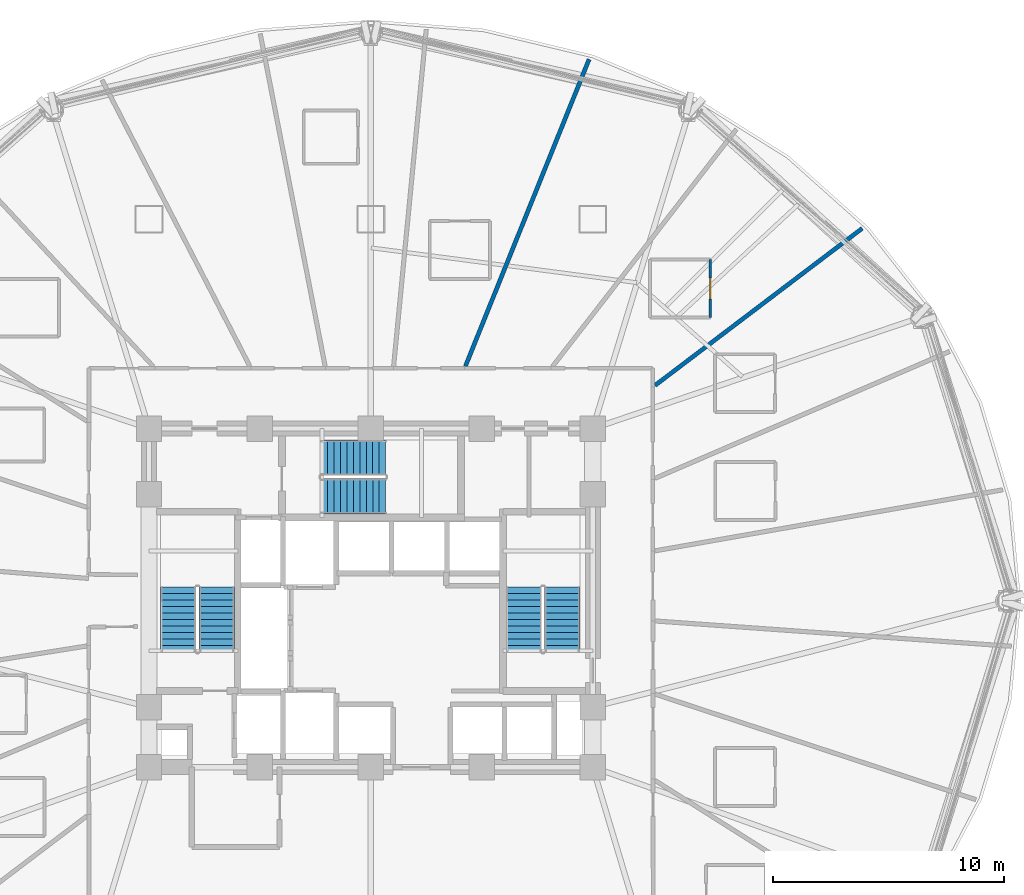
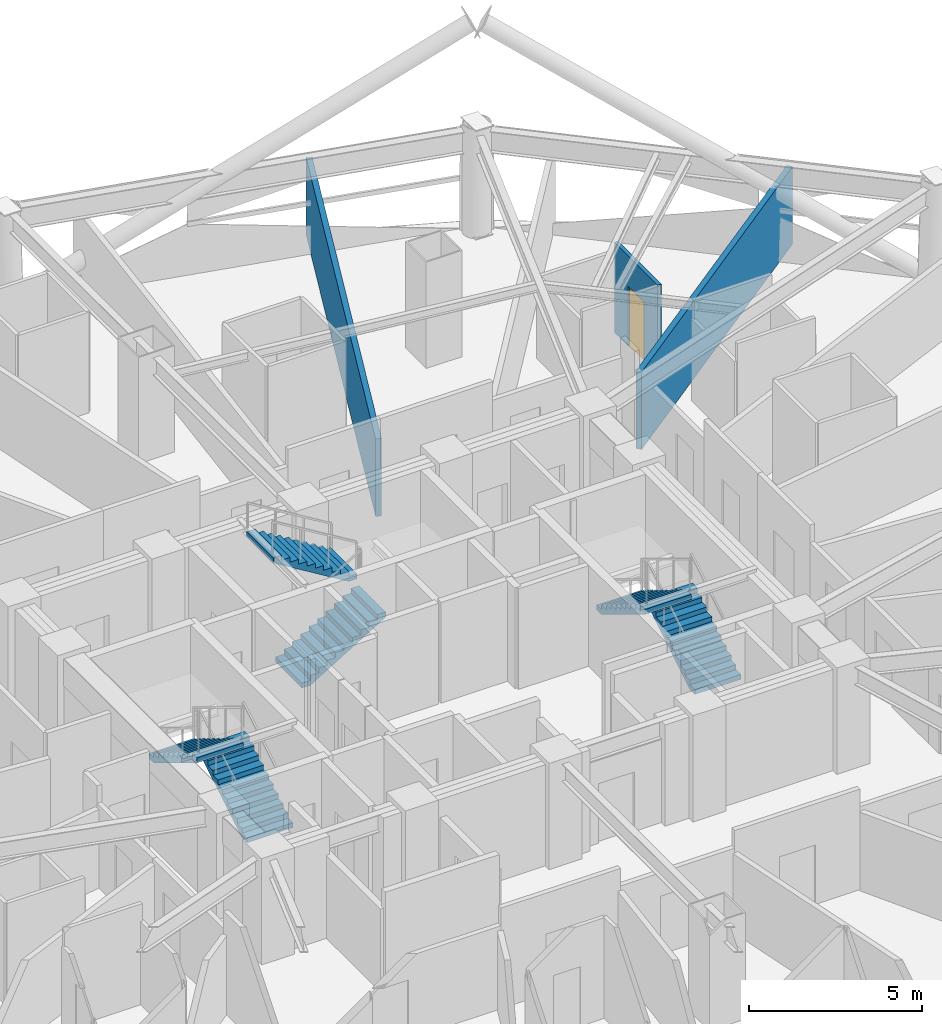
# One storey, part 11 of 16: 6 stair flights, 3 walls, 1 door, 1 opening, 3 elements without a shape of their own.
"""IFC4 building model written with IfcOpenShell, lengths in metres."""

from ifc_helpers import new_model, si_unit, direction, frame, frame_2d, origin, place, context, subcontext, project, spatial, polyline, rectangle, outline, extrude, material, layer, layer_set, type_object, element, fill, aggregate, save


model = new_model("IFC4")

# Units and contexts
model_context = context("Model", 3, precision=1e-05, world=origin(), true_north=direction((0.0, 1.0)))
body_context = subcontext(model_context, "Body", "Model", "MODEL_VIEW")
ifc_project = project(units=[si_unit("LENGTHUNIT", "METRE"), si_unit("AREAUNIT", "SQUARE_METRE"), si_unit("VOLUMEUNIT", "CUBIC_METRE"), si_unit("PLANEANGLEUNIT", "RADIAN"), si_unit("MASSUNIT", "GRAM", prefix="KILO")], contexts=[model_context])

# Site, building, storey
site_placement = place(None, origin())
site = spatial("IfcSite", under=ifc_project, at=site_placement, CompositionType="ELEMENT")
building_placement = place(site_placement, origin())
building = spatial("IfcBuilding", under=site, at=building_placement, Name="Vantalir Tower", CompositionType="ELEMENT")
storey_placement = place(building_placement, frame((0.0, 0.0, 64.5)))
storey = spatial("IfcBuildingStorey", under=building, at=storey_placement, Name="L15", CompositionType="ELEMENT", Elevation=64.5)

# Wall, opening, door
ifc_material_1 = material(Name="Moisture-resistant en-suite partition", Category="gypsum")
ifc_layer_1 = layer(ifc_material_1, 0.125)
ifc_layer_set_1 = layer_set([ifc_layer_1], Name="Moisture-resistant en-suite partition")
wall_type_1 = type_object("IfcWallType", Name="WL-BATH-125", PredefinedType="PARTITIONING", material=ifc_layer_set_1)
wall_1_placement = place(storey_placement, frame((46.18310546875, 37.259033203125, 0.0), z_axis=(0.0, 0.0, 1.0), x_axis=(0.0, 1.0, 0.0)))
wall_1 = element("IfcWall", 1, at=wall_1_placement, inside=storey, type_object=wall_type_1, Name="L15 En-suite 03 East Wall", PredefinedType="PARTITIONING", context=body_context, shape_type="SweptSolid", body=[
    extrude(rectangle(XDim=2.5, YDim=0.125, at=frame_2d((1.25, 0.0))), origin(), (0.0, 0.0, 1.0), 3.177978515625),
])
opening_placement = place(wall_1_placement, frame((0.800048828125, 0.0, 0.0)))
opening = element("IfcOpeningElement", 2, at=opening_placement, cuts=wall_1, Name="Opening D-WC", PredefinedType="OPENING", context=body_context, shape_type="SweptSolid", body=[
    extrude(rectangle(XDim=0.89990234375, YDim=2.10009765625, at=frame_2d((0.449951171875, 1.050048828125))), frame((0.0, 0.072509765625, 0.0), z_axis=(0.0, -1.0, 0.0), x_axis=(1.0, 0.0, 0.0)), (0.0, 0.0, 1.0), 0.14501953125),
])
ifc_material_2 = material(Name="Moisture-resistant hardwood door", Category="wood")
door_type = type_object("IfcDoorType", Name="DR-ENSUITE-900", OperationType="NOTDEFINED", PredefinedType="DOOR", material=ifc_material_2)
door_placement = place(opening_placement, origin())
door = element("IfcDoor", 3, at=door_placement, inside=storey, type_object=door_type, Name="L15 En-suite 03 Door", OperationType="SINGLE_SWING_LEFT", OverallHeight=2.10009765625, OverallWidth=0.89990234375, PredefinedType="DOOR", context=body_context, shape_type="SweptSolid", body=[
    extrude(rectangle(XDim=0.89990234375, YDim=2.10009765625, at=frame_2d((0.449951171875, 1.050048828125))), frame((0.0, 0.02490234375, 0.0), z_axis=(0.0, -1.0, 0.0), x_axis=(1.0, 0.0, 0.0)), (0.0, 0.0, 1.0), 0.050048828125),
])
fill(opening, door)

# Walls
ifc_material_3 = material(Name="Twin-stud acoustic fire-rated gypsum partition", Category="gypsum")
ifc_layer_2 = layer(ifc_material_3, 0.179931640625)
ifc_layer_set_2 = layer_set([ifc_layer_2], Name="Twin-stud acoustic fire-rated gypsum partition")
wall_type_2 = type_object("IfcWallType", Name="WL-GUEST-180", PredefinedType="PARTITIONING", material=ifc_layer_set_2)
wall_2_placement = place(storey_placement, frame((43.7900390625, 34.31494140625, 0.0), z_axis=(0.0, 0.0, 1.0), x_axis=(0.796937326032, 0.604061998786, 0.0)))
element("IfcWall", 4, at=wall_2_placement, inside=storey, type_object=wall_type_2, Name="L15 Radial Suite Partition 03", PredefinedType="PARTITIONING", context=body_context, shape_type="SweptSolid", body=[
    extrude(rectangle(XDim=11.2490234375, YDim=0.179931640625, at=frame_2d((5.62451171875, 0.0))), origin(), (0.0, 0.0, 1.0), 2.735107421875),
])
wall_3_placement = place(storey_placement, frame((35.5859375, 35.139892578125, 0.0), z_axis=(0.0, 0.0, 1.0), x_axis=(0.373781962033, 0.927516600853, 0.0)))
element("IfcWall", 5, at=wall_3_placement, inside=storey, type_object=wall_type_2, Name="L15 Radial Suite Partition 05", PredefinedType="PARTITIONING", context=body_context, shape_type="SweptSolid", body=[
    extrude(rectangle(XDim=14.3212890625, YDim=0.179931640625, at=frame_2d((7.16064453125, 0.0))), origin(), (0.0, 0.0, 1.0), 2.735107421875),
])

# Stair, stair flights
ifc_material_4 = material(Name="Concrete C40/50", Category="concrete")
stair_type = type_object("IfcStairType", Name="STR-CORE-1450", PredefinedType="HALF_TURN_STAIR", material=ifc_material_4)
stair_1_placement = place(storey_placement, origin())
stair_1 = element("IfcStair", 6, at=stair_1_placement, inside=storey, type_object=stair_type, Name="L15 Core Exit Stair 1", PredefinedType="HALF_TURN_STAIR")
stair_flight_type = type_object("IfcStairFlightType", Name="FLT-CORE-1450", PredefinedType="STRAIGHT", material=ifc_material_4)
stair_flight_1_placement = place(storey_placement, frame((24.830078125, 22.7900390625, 0.0), z_axis=(0.0, 0.0, 1.0), x_axis=(0.0, 1.0, 0.0)))
stair_flight_1 = element("IfcStairFlight", 7, at=stair_flight_1_placement, type_object=stair_flight_type, Name="ST1 flight 1", NumberOfRisers=11, NumberOfTreads=10, PredefinedType="STRAIGHT", RiserHeight=0.170454545, TreadLength=0.28, context=body_context, shape_type="SweptSolid", body=[
    extrude(outline(polyline([(0.0, 0.0), (0.0, 0.17041015625), (0.280029296875, 0.17041015625), (0.280029296875, 0.3408203125), (0.56005859375, 0.3408203125), (0.56005859375, 0.511474609375), (0.840087890625, 0.511474609375), (0.840087890625, 0.681884765625), (1.1201171875, 0.681884765625), (1.1201171875, 0.852294921875), (1.39990234375, 0.852294921875), (1.39990234375, 1.022705078125), (1.679931640625, 1.022705078125), (1.679931640625, 1.193115234375), (1.9599609375, 1.193115234375), (1.9599609375, 1.363525390625), (2.239990234375, 1.363525390625), (2.239990234375, 1.5341796875), (2.52001953125, 1.5341796875), (2.52001953125, 1.70458984375), (2.800048828125, 1.70458984375), (2.800048828125, 1.875), (2.800048828125, 1.529052734375), (0.288330078125, 0.0), (0.0, 0.0)])), frame((0.0, 0.77001953125, 0.0), z_axis=(0.0, -1.0, 0.0), x_axis=(1.0, 0.0, 0.0)), (0.0, 0.0, 1.0), 1.5400390625),
])
stair_flight_2_placement = place(storey_placement, frame((23.169921875, 25.590087890625, 1.875), z_axis=(0.0, 0.0, 1.0), x_axis=(0.0, -1.0, 0.0)))
stair_flight_2 = element("IfcStairFlight", 8, at=stair_flight_2_placement, type_object=stair_flight_type, Name="ST1 flight 2", NumberOfRisers=11, NumberOfTreads=10, PredefinedType="STRAIGHT", RiserHeight=0.170454545, TreadLength=0.28, context=body_context, shape_type="SweptSolid", body=[
    extrude(outline(polyline([(0.0, 0.0), (0.0, 0.17041015625), (0.280029296875, 0.17041015625), (0.280029296875, 0.3408203125), (0.56005859375, 0.3408203125), (0.56005859375, 0.511474609375), (0.840087890625, 0.511474609375), (0.840087890625, 0.681884765625), (1.1201171875, 0.681884765625), (1.1201171875, 0.852294921875), (1.39990234375, 0.852294921875), (1.39990234375, 1.022705078125), (1.679931640625, 1.022705078125), (1.679931640625, 1.193115234375), (1.9599609375, 1.193115234375), (1.9599609375, 1.363525390625), (2.239990234375, 1.363525390625), (2.239990234375, 1.5341796875), (2.52001953125, 1.5341796875), (2.52001953125, 1.70458984375), (2.800048828125, 1.70458984375), (2.800048828125, 1.875), (2.800048828125, 1.529052734375), (0.288330078125, 0.0), (0.0, 0.0)])), frame((0.0, 0.77001953125, 0.0), z_axis=(0.0, -1.0, 0.0), x_axis=(1.0, 0.0, 0.0)), (0.0, 0.0, 1.0), 1.5400390625),
])
aggregate(stair_1, [stair_flight_1, stair_flight_2])

stair_2_placement = place(storey_placement, origin())
stair_2 = element("IfcStair", 9, at=stair_2_placement, inside=storey, type_object=stair_type, Name="L15 Core Exit Stair 2", PredefinedType="HALF_TURN_STAIR")
stair_flight_3_placement = place(storey_placement, frame((39.780029296875, 22.7900390625, 0.0), z_axis=(0.0, 0.0, 1.0), x_axis=(0.0, 1.0, 0.0)))
stair_flight_3 = element("IfcStairFlight", 10, at=stair_flight_3_placement, type_object=stair_flight_type, Name="ST2 flight 1", NumberOfRisers=11, NumberOfTreads=10, PredefinedType="STRAIGHT", RiserHeight=0.170454545, TreadLength=0.28, context=body_context, shape_type="SweptSolid", body=[
    extrude(outline(polyline([(0.0, 0.0), (0.0, 0.17041015625), (0.280029296875, 0.17041015625), (0.280029296875, 0.3408203125), (0.56005859375, 0.3408203125), (0.56005859375, 0.511474609375), (0.840087890625, 0.511474609375), (0.840087890625, 0.681884765625), (1.1201171875, 0.681884765625), (1.1201171875, 0.852294921875), (1.39990234375, 0.852294921875), (1.39990234375, 1.022705078125), (1.679931640625, 1.022705078125), (1.679931640625, 1.193115234375), (1.9599609375, 1.193115234375), (1.9599609375, 1.363525390625), (2.239990234375, 1.363525390625), (2.239990234375, 1.5341796875), (2.52001953125, 1.5341796875), (2.52001953125, 1.70458984375), (2.800048828125, 1.70458984375), (2.800048828125, 1.875), (2.800048828125, 1.529052734375), (0.288330078125, 0.0), (0.0, 0.0)])), frame((0.0, 0.77001953125, 0.0), z_axis=(0.0, -1.0, 0.0), x_axis=(1.0, 0.0, 0.0)), (0.0, 0.0, 1.0), 1.5400390625),
])
stair_flight_4_placement = place(storey_placement, frame((38.1201171875, 25.590087890625, 1.875), z_axis=(0.0, 0.0, 1.0), x_axis=(0.0, -1.0, 0.0)))
stair_flight_4 = element("IfcStairFlight", 11, at=stair_flight_4_placement, type_object=stair_flight_type, Name="ST2 flight 2", NumberOfRisers=11, NumberOfTreads=10, PredefinedType="STRAIGHT", RiserHeight=0.170454545, TreadLength=0.28, context=body_context, shape_type="SweptSolid", body=[
    extrude(outline(polyline([(0.0, 0.0), (0.0, 0.17041015625), (0.280029296875, 0.17041015625), (0.280029296875, 0.3408203125), (0.56005859375, 0.3408203125), (0.56005859375, 0.511474609375), (0.840087890625, 0.511474609375), (0.840087890625, 0.681884765625), (1.1201171875, 0.681884765625), (1.1201171875, 0.852294921875), (1.39990234375, 0.852294921875), (1.39990234375, 1.022705078125), (1.679931640625, 1.022705078125), (1.679931640625, 1.193115234375), (1.9599609375, 1.193115234375), (1.9599609375, 1.363525390625), (2.239990234375, 1.363525390625), (2.239990234375, 1.5341796875), (2.52001953125, 1.5341796875), (2.52001953125, 1.70458984375), (2.800048828125, 1.70458984375), (2.800048828125, 1.875), (2.800048828125, 1.529052734375), (0.288330078125, 0.0), (0.0, 0.0)])), frame((0.0, 0.77001953125, 0.0), z_axis=(0.0, -1.0, 0.0), x_axis=(1.0, 0.0, 0.0)), (0.0, 0.0, 1.0), 1.5400390625),
])
aggregate(stair_2, [stair_flight_3, stair_flight_4])

stair_3_placement = place(storey_placement, origin())
stair_3 = element("IfcStair", 12, at=stair_3_placement, inside=storey, type_object=stair_type, Name="L15 Core Exit Stair 3", PredefinedType="HALF_TURN_STAIR")
stair_flight_5_placement = place(storey_placement, frame((29.340087890625, 29.52001953125, 0.0), z_axis=(0.0, 0.0, 1.0), x_axis=(1.0, 0.0, 0.0)))
stair_flight_5 = element("IfcStairFlight", 13, at=stair_flight_5_placement, type_object=stair_flight_type, Name="ST3 flight 1", NumberOfRisers=11, NumberOfTreads=10, PredefinedType="STRAIGHT", RiserHeight=0.170454545, TreadLength=0.28, context=body_context, shape_type="SweptSolid", body=[
    extrude(outline(polyline([(0.0, 0.0), (0.0, 0.17041015625), (0.280029296875, 0.17041015625), (0.280029296875, 0.3408203125), (0.56005859375, 0.3408203125), (0.56005859375, 0.511474609375), (0.840087890625, 0.511474609375), (0.840087890625, 0.681884765625), (1.1201171875, 0.681884765625), (1.1201171875, 0.852294921875), (1.39990234375, 0.852294921875), (1.39990234375, 1.022705078125), (1.679931640625, 1.022705078125), (1.679931640625, 1.193115234375), (1.9599609375, 1.193115234375), (1.9599609375, 1.363525390625), (2.239990234375, 1.363525390625), (2.239990234375, 1.5341796875), (2.52001953125, 1.5341796875), (2.52001953125, 1.70458984375), (2.800048828125, 1.70458984375), (2.800048828125, 1.875), (2.800048828125, 1.529052734375), (0.288330078125, 0.0), (0.0, 0.0)])), frame((0.0, 0.77001953125, 0.0), z_axis=(0.0, -1.0, 0.0), x_axis=(1.0, 0.0, 0.0)), (0.0, 0.0, 1.0), 1.5400390625),
])
stair_flight_6_placement = place(storey_placement, frame((32.139892578125, 31.179931640625, 1.875), z_axis=(0.0, 0.0, 1.0), x_axis=(-1.0, 0.0, 0.0)))
stair_flight_6 = element("IfcStairFlight", 14, at=stair_flight_6_placement, type_object=stair_flight_type, Name="ST3 flight 2", NumberOfRisers=11, NumberOfTreads=10, PredefinedType="STRAIGHT", RiserHeight=0.170454545, TreadLength=0.28, context=body_context, shape_type="SweptSolid", body=[
    extrude(outline(polyline([(0.0, 0.0), (0.0, 0.17041015625), (0.280029296875, 0.17041015625), (0.280029296875, 0.3408203125), (0.56005859375, 0.3408203125), (0.56005859375, 0.511474609375), (0.840087890625, 0.511474609375), (0.840087890625, 0.681884765625), (1.1201171875, 0.681884765625), (1.1201171875, 0.852294921875), (1.39990234375, 0.852294921875), (1.39990234375, 1.022705078125), (1.679931640625, 1.022705078125), (1.679931640625, 1.193115234375), (1.9599609375, 1.193115234375), (1.9599609375, 1.363525390625), (2.239990234375, 1.363525390625), (2.239990234375, 1.5341796875), (2.52001953125, 1.5341796875), (2.52001953125, 1.70458984375), (2.800048828125, 1.70458984375), (2.800048828125, 1.875), (2.800048828125, 1.529052734375), (0.288330078125, 0.0), (0.0, 0.0)])), frame((0.0, 0.77001953125, 0.0), z_axis=(0.0, -1.0, 0.0), x_axis=(1.0, 0.0, 0.0)), (0.0, 0.0, 1.0), 1.5400390625),
])
aggregate(stair_3, [stair_flight_5, stair_flight_6])

save(model, "model.ifc")
